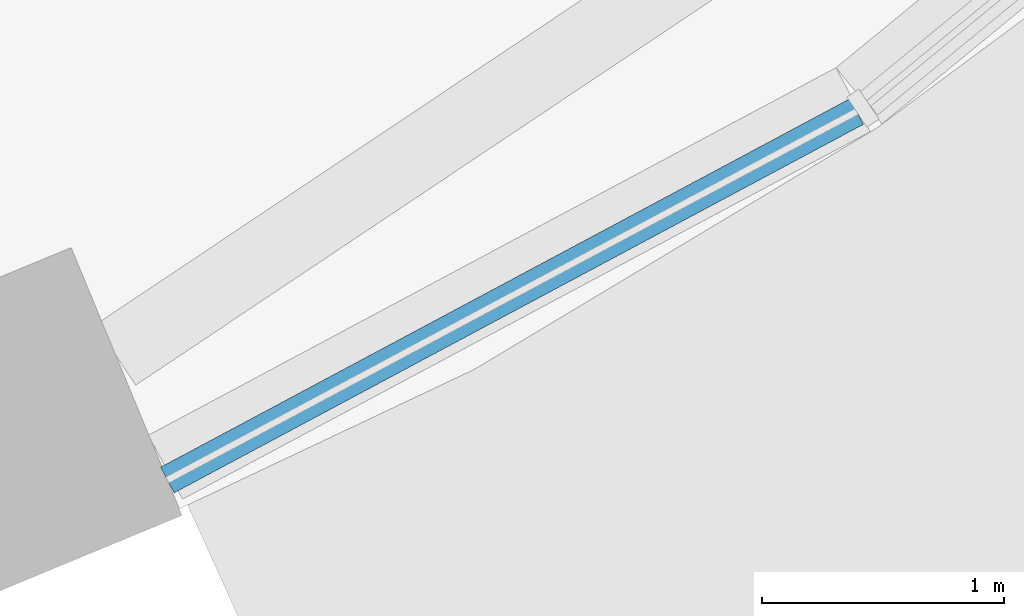
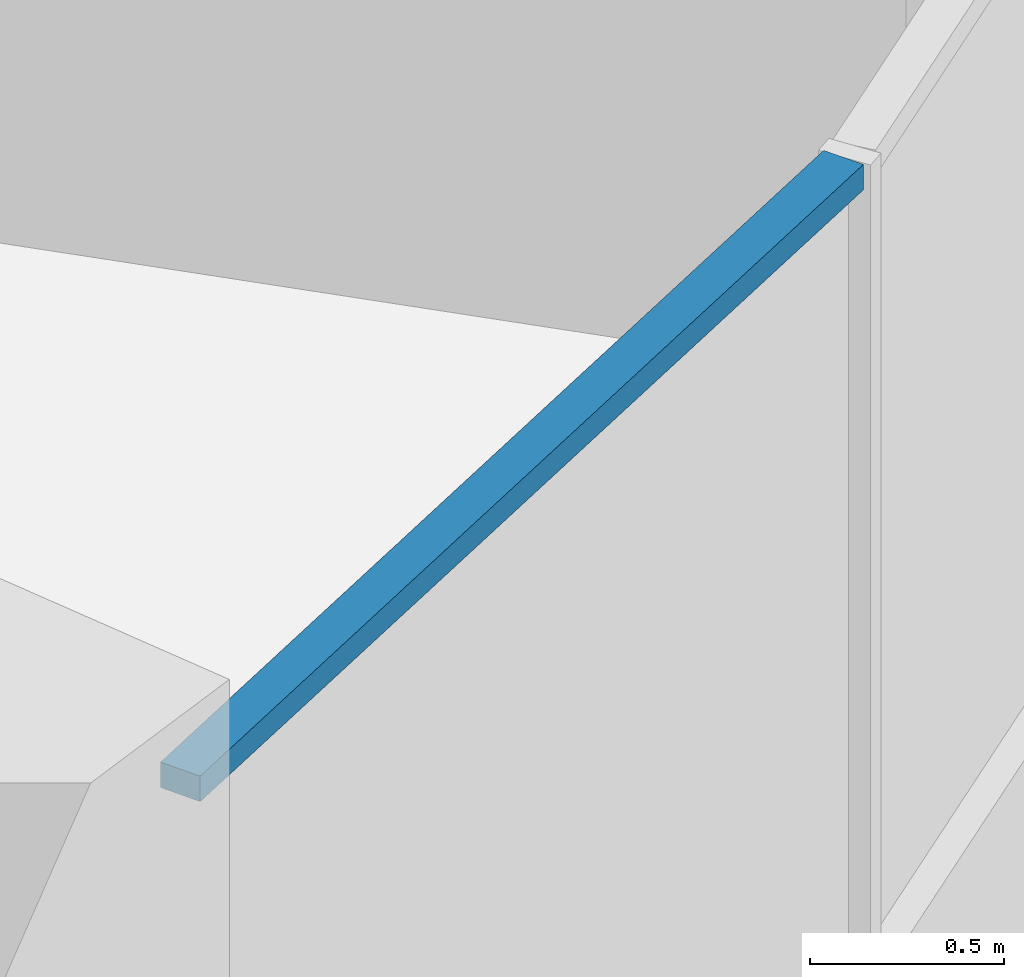
# One storey, part 3 of 15: 1 member, 1 element without a shape of its own.
"""IFC4 building model written with IfcOpenShell, lengths in metres."""

from ifc_helpers import new_model, si_unit, direction, frame, origin, origin_2d, place, context, subcontext, project, spatial, rectangle, extrude, material, material_profile, profile_set, type_object, element, aggregate, save


model = new_model("IFC4")

# Units and contexts
model_context = context("Model", 3, precision=1e-05, world=origin(), true_north=direction((0.0, 1.0)))
body_context = subcontext(model_context, "Body", "Model", "MODEL_VIEW")
ifc_project = project(units=[si_unit("LENGTHUNIT", "METRE"), si_unit("AREAUNIT", "SQUARE_METRE"), si_unit("VOLUMEUNIT", "CUBIC_METRE"), si_unit("PLANEANGLEUNIT", "RADIAN"), si_unit("MASSUNIT", "GRAM", prefix="KILO")], contexts=[model_context])

# Site, building, storey
site_placement = place(None, origin())
site = spatial("IfcSite", under=ifc_project, at=site_placement, CompositionType="ELEMENT")
building_placement = place(site_placement, origin())
building = spatial("IfcBuilding", under=site, at=building_placement, Name="Polderwave Tower", CompositionType="ELEMENT")
storey_placement = place(building_placement, frame((0.0, 0.0, 22.39990234375)))
storey = spatial("IfcBuildingStorey", under=building, at=storey_placement, Name="L05", CompositionType="ELEMENT", Elevation=22.39990234375)

# Curtain wall, member
ifc_material_1 = material(Name="Aluminium 6063-T6 and glass", Category="aluminium")
curtain_wall_type = type_object("IfcCurtainWallType", Name="Growing floor ribbon glazing wall", PredefinedType="NOTDEFINED", material=ifc_material_1)
curtain_wall_placement = place(storey_placement, origin())
curtain_wall = element("IfcCurtainWall", 1, at=curtain_wall_placement, inside=storey, type_object=curtain_wall_type, Name="CW2 L05 13", PredefinedType="NOTDEFINED")
ifc_material_2 = material(Name="Aluminium 6063-T6", Category="aluminium")
ifc_material_profile = material_profile(ifc_material_2, rectangle(XDim=0.1201171875, YDim=0.080078125, at=origin_2d()), Name="AL 80x120")
ifc_profile_set = profile_set([ifc_material_profile], Name="Aluminium 6063-T6")
member_type = type_object("IfcMemberType", Name="Growing floor ribbon glazing transom 80x120", PredefinedType="USERDEFINED", material=ifc_profile_set)
member_placement = place(storey_placement, frame((8.08203125, -17.944091796875, 3.41015625), z_axis=(0.881897041923, 0.471442050997, 0.0), x_axis=(-0.471442050997, 0.881897041923, 0.0)))
member = element("IfcMember", 2, at=member_placement, type_object=member_type, Name="CW2 transom 1", ObjectType="TRANSOM", PredefinedType="USERDEFINED", context=body_context, shape_type="SweptSolid", body=[
    extrude(rectangle(XDim=0.1201171875, YDim=0.080078125, at=origin_2d()), origin(), (0.0, 0.0, 1.0), 3.234619140625),
])
aggregate(curtain_wall, [member])

save(model, "model.ifc")
